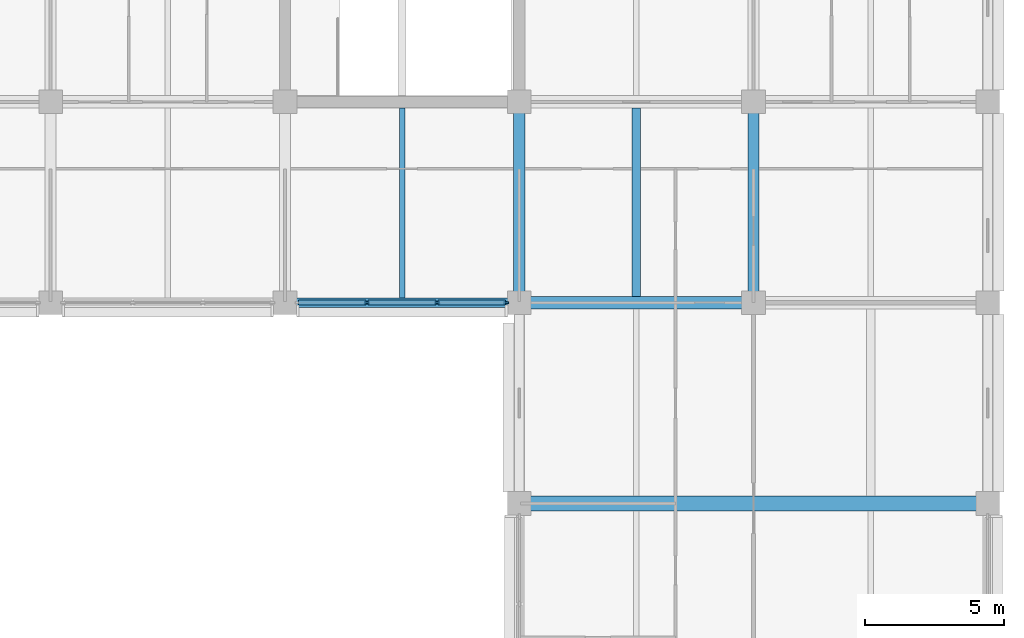
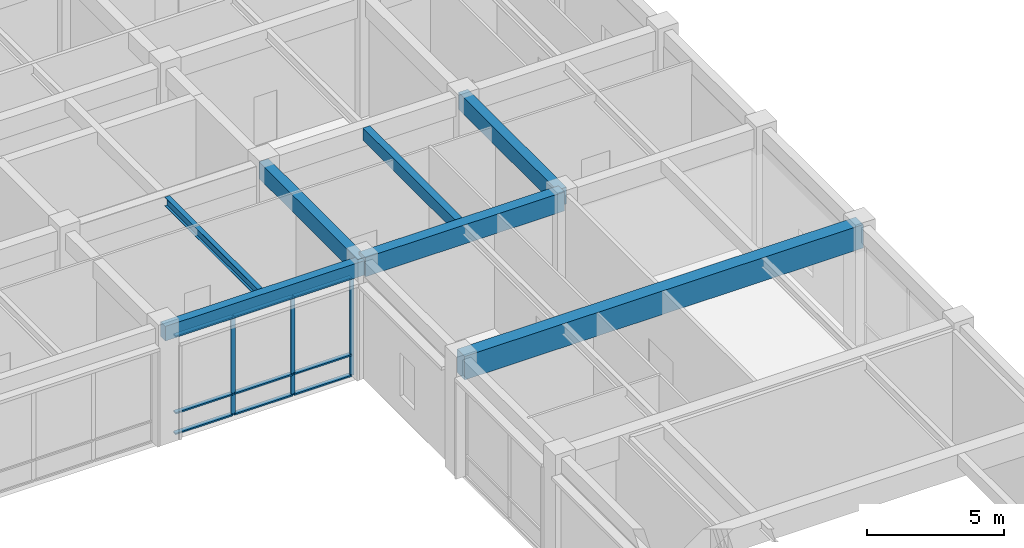
# One storey, part 21 of 58: 12 members, 7 beams, 1 element without a shape of its own.
"""IFC4 building model written with IfcOpenShell, lengths in metres."""

from ifc_helpers import new_model, si_unit, direction, frame, origin, origin_2d, place, context, subcontext, project, spatial, rectangle, i_section, extrude, material, layer, layer_set, material_profile, profile_set, type_object, element, aggregate, save


model = new_model("IFC4")

# Units and contexts
model_context = context("Model", 3, precision=1e-05, world=origin(), true_north=direction((0.0, 1.0)))
body_context = subcontext(model_context, "Body", "Model", "MODEL_VIEW")
ifc_project = project(units=[si_unit("LENGTHUNIT", "METRE"), si_unit("AREAUNIT", "SQUARE_METRE"), si_unit("VOLUMEUNIT", "CUBIC_METRE"), si_unit("PLANEANGLEUNIT", "RADIAN"), si_unit("MASSUNIT", "GRAM", prefix="KILO")], contexts=[model_context])

# Site, building, storey
site_placement = place(None, origin())
site = spatial("IfcSite", under=ifc_project, at=site_placement, CompositionType="ELEMENT")
building_placement = place(site_placement, origin())
building = spatial("IfcBuilding", under=site, at=building_placement, Name="Chengyuan Square Courthouse", CompositionType="ELEMENT")
storey_placement = place(building_placement, frame((0.0, 0.0, 16.199951171875)))
storey = spatial("IfcBuildingStorey", under=building, at=storey_placement, Name="L04", CompositionType="ELEMENT", Elevation=16.199951171875)

# Beams
ifc_material_1 = material(Name="Concrete C40", Category="concrete")
ifc_material_profile_1 = material_profile(ifc_material_1, rectangle(XDim=0.449951171875, YDim=0.85009765625, at=origin_2d()), Name="RC-BM-450x850")
ifc_profile_set_1 = profile_set([ifc_material_profile_1], Name="Concrete C40")
beam_type_1 = type_object("IfcBeamType", Name="BM-01", PredefinedType="USERDEFINED", material=ifc_profile_set_1)
beam_1_placement = place(storey_placement, frame((151.199951171875, 79.199951171875, 4.775146484375), z_axis=(1.0, 0.0, 0.0), x_axis=(0.0, 1.0, 0.0)))
element("IfcBeam", 1, at=beam_1_placement, inside=storey, type_object=beam_type_1, Name="Girder BM-L04-2879", ObjectType="GIRDER", PredefinedType="USERDEFINED", context=body_context, shape_type="SweptSolid", body=[
    extrude(rectangle(XDim=0.449951171875, YDim=0.85009765625, at=origin_2d()), origin(), (0.0, 0.0, 1.0), 8.400146484375),
])
ifc_material_profile_2 = material_profile(ifc_material_1, rectangle(XDim=0.39990234375, YDim=0.75, at=origin_2d()), Name="RC-BM-400x750")
ifc_profile_set_2 = profile_set([ifc_material_profile_2], Name="Concrete C40")
beam_type_2 = type_object("IfcBeamType", Name="BM-02", PredefinedType="USERDEFINED", material=ifc_profile_set_2)
for number, where, z_axis, x_axis, name in (
    (2, (151.199951171875, 79.199951171875, 4.675048828125), (0.0, 1.0, 0.0), (-1.0, 0.0, 0.0), "Girder BM-L04-3075"),
    (3, (159.60009765625, 79.199951171875, 4.824951171875), (0.0, 1.0, 0.0), (-1.0, 0.0, 0.0), "Girder BM-L04-3079"),
):
    element("IfcBeam", number, at=place(storey_placement, frame(where, z_axis=z_axis, x_axis=x_axis)), inside=storey, type_object=beam_type_2, Name=name, ObjectType="GIRDER", PredefinedType="USERDEFINED", context=body_context, shape_type="SweptSolid", body=[
        extrude(rectangle(XDim=0.39990234375, YDim=0.75, at=origin_2d()), origin(), (0.0, 0.0, 1.0), 7.199951171875),
    ])
ifc_material_profile_3 = material_profile(ifc_material_1, rectangle(XDim=0.35009765625, YDim=0.64990234375, at=origin_2d()), Name="RC-BM-350x650")
ifc_profile_set_3 = profile_set([ifc_material_profile_3], Name="Concrete C40")
beam_type_3 = type_object("IfcBeamType", Name="BM-03", PredefinedType="SPANDREL", material=ifc_profile_set_3)
beam_2_placement = place(storey_placement, frame((142.800048828125, 79.199951171875, 4.72509765625), z_axis=(1.0, 0.0, 0.0), x_axis=(0.0, 1.0, 0.0)))
element("IfcBeam", 4, at=beam_2_placement, inside=storey, type_object=beam_type_3, Name="Girder BM-L04-2878", PredefinedType="SPANDREL", context=body_context, shape_type="SweptSolid", body=[
    extrude(rectangle(XDim=0.35009765625, YDim=0.64990234375, at=origin_2d()), origin(), (0.0, 0.0, 1.0), 8.39990234375),
])
ifc_material_profile_4 = material_profile(ifc_material_1, rectangle(XDim=0.300048828125, YDim=0.550048828125, at=origin_2d()), Name="RC-BM-300x550")
ifc_profile_set_4 = profile_set([ifc_material_profile_4], Name="Concrete C40")
beam_type_4 = type_object("IfcBeamType", Name="BM-04", PredefinedType="BEAM", material=ifc_profile_set_4)
beam_3_placement = place(storey_placement, frame((155.39990234375, 79.425048828125, 4.925048828125), z_axis=(0.0, 1.0, 0.0), x_axis=(-1.0, 0.0, 0.0)))
element("IfcBeam", 5, at=beam_3_placement, inside=storey, type_object=beam_type_4, Name="Secondary Floor Beam SBM-L04-3181", PredefinedType="BEAM", context=body_context, shape_type="SweptSolid", body=[
    extrude(rectangle(XDim=0.300048828125, YDim=0.550048828125, at=origin_2d()), origin(), (0.0, 0.0, 1.0), 6.75),
])
ifc_material_2 = material(Name="Steel Q355B", Category="steel")
ifc_material_profile_5 = material_profile(ifc_material_2, i_section(OverallWidth=0.199951171875, OverallDepth=0.39990234375, WebThickness=0.008056640625, FlangeThickness=0.012939453125, at=origin_2d()), Name="HN 400x200x8x13")
ifc_profile_set_5 = profile_set([ifc_material_profile_5], Name="Steel Q355B")
beam_type_5 = type_object("IfcBeamType", Name="BM-07", PredefinedType="BEAM", material=ifc_profile_set_5)
beam_4_placement = place(storey_placement, frame((147.0, 79.375, 4.85009765625), z_axis=(0.0, 1.0, 0.0), x_axis=(-1.0, 0.0, 0.0)))
element("IfcBeam", 6, at=beam_4_placement, inside=storey, type_object=beam_type_5, Name="Secondary Floor Beam SBM-L04-3171", PredefinedType="BEAM", context=body_context, shape_type="SweptSolid", body=[
    extrude(i_section(OverallWidth=0.199951171875, OverallDepth=0.39990234375, WebThickness=0.008056640625, FlangeThickness=0.012939453125, at=origin_2d()), origin(), (0.0, 0.0, 1.0), 6.800048828125),
])

# Curtain wall, members
ifc_material_3 = material(Name="Unitised Aluminium and Triple Low-E Glass", Category="aluminium")
ifc_layer = layer(ifc_material_3, 0.179931640625)
ifc_layer_set = layer_set([ifc_layer], Name="Unitised Aluminium and Triple Low-E Glass")
curtain_wall_type = type_object("IfcCurtainWallType", Name="CW-10", PredefinedType="USERDEFINED", material=ifc_layer_set)
curtain_wall_placement = place(storey_placement, origin())
curtain_wall = element("IfcCurtainWall", 7, at=curtain_wall_placement, inside=storey, type_object=curtain_wall_type, Name="Unitised Curtain Wall CW-L04-154", ObjectType="UNITISED CURTAIN WALL", PredefinedType="USERDEFINED")
ifc_material_4 = material(Name="Aluminium 6063-T6 Frame", Category="aluminium")
ifc_material_profile_6 = material_profile(ifc_material_4, rectangle(XDim=0.06494140625, YDim=0.179931640625, at=origin_2d()), Name="CW-MUL-65x180")
ifc_profile_set_6 = profile_set([ifc_material_profile_6], Name="Aluminium 6063-T6 Frame")
member_type_1 = type_object("IfcMemberType", Name="CWM-02", PredefinedType="MULLION", material=ifc_profile_set_6)
member_1_placement = place(storey_placement, frame((145.74169921875, 79.199951171875, 0.0), z_axis=(0.0, 0.0, 1.0), x_axis=(0.0, 1.0, 0.0)))
member_1 = element("IfcMember", 8, at=member_1_placement, type_object=member_type_1, Name="CW-10 mullion 2", PredefinedType="MULLION", context=body_context, shape_type="SweptSolid", body=[
    extrude(rectangle(XDim=0.06494140625, YDim=0.179931640625, at=origin_2d()), origin(), (0.0, 0.0, 1.0), 4.400146484375),
])
member_2_placement = place(storey_placement, frame((148.25830078125, 79.199951171875, 0.0), z_axis=(0.0, 0.0, 1.0), x_axis=(0.0, 1.0, 0.0)))
member_2 = element("IfcMember", 9, at=member_2_placement, type_object=member_type_1, Name="CW-10 mullion 3", PredefinedType="MULLION", context=body_context, shape_type="SweptSolid", body=[
    extrude(rectangle(XDim=0.06494140625, YDim=0.179931640625, at=origin_2d()), origin(), (0.0, 0.0, 1.0), 4.400146484375),
])
member_3_placement = place(storey_placement, frame((150.742431640625, 79.199951171875, 0.0), z_axis=(0.0, 0.0, 1.0), x_axis=(0.0, 1.0, 0.0)))
member_3 = element("IfcMember", 10, at=member_3_placement, type_object=member_type_1, Name="CW-10 mullion 4", PredefinedType="MULLION", context=body_context, shape_type="SweptSolid", body=[
    extrude(rectangle(XDim=0.06494140625, YDim=0.179931640625, at=origin_2d()), origin(), (0.0, 0.0, 1.0), 4.400146484375),
])
ifc_material_profile_7 = material_profile(ifc_material_4, rectangle(XDim=0.179931640625, YDim=0.06494140625, at=origin_2d()), Name="CW-TRN-65x140")
ifc_profile_set_7 = profile_set([ifc_material_profile_7], Name="Aluminium 6063-T6 Frame")
member_type_2 = type_object("IfcMemberType", Name="CWT-02", PredefinedType="USERDEFINED", material=ifc_profile_set_7)
member_4_placement = place(storey_placement, frame((143.2900390625, 79.199951171875, 0.032470703125), z_axis=(1.0, 0.0, 0.0), x_axis=(0.0, 1.0, 0.0)))
member_4 = element("IfcMember", 11, at=member_4_placement, type_object=member_type_2, Name="CW-10 transom 1.1", ObjectType="TRANSOM", PredefinedType="USERDEFINED", context=body_context, shape_type="SweptSolid", body=[
    extrude(rectangle(XDim=0.179931640625, YDim=0.06494140625, at=origin_2d()), origin(), (0.0, 0.0, 1.0), 2.419189453125),
])
member_5_placement = place(storey_placement, frame((143.2900390625, 79.199951171875, 0.949951171875), z_axis=(1.0, 0.0, 0.0), x_axis=(0.0, 1.0, 0.0)))
member_5 = element("IfcMember", 12, at=member_5_placement, type_object=member_type_2, Name="CW-10 transom 1.2", ObjectType="TRANSOM", PredefinedType="USERDEFINED", context=body_context, shape_type="SweptSolid", body=[
    extrude(rectangle(XDim=0.179931640625, YDim=0.06494140625, at=origin_2d()), origin(), (0.0, 0.0, 1.0), 2.419189453125),
])
member_6_placement = place(storey_placement, frame((143.2900390625, 79.199951171875, 4.367431640625), z_axis=(1.0, 0.0, 0.0), x_axis=(0.0, 1.0, 0.0)))
member_6 = element("IfcMember", 13, at=member_6_placement, type_object=member_type_2, Name="CW-10 transom 1.3", ObjectType="TRANSOM", PredefinedType="USERDEFINED", context=body_context, shape_type="SweptSolid", body=[
    extrude(rectangle(XDim=0.179931640625, YDim=0.06494140625, at=origin_2d()), origin(), (0.0, 0.0, 1.0), 2.419189453125),
])
member_7_placement = place(storey_placement, frame((145.774169921875, 79.199951171875, 0.032470703125), z_axis=(1.0, 0.0, 0.0), x_axis=(0.0, 1.0, 0.0)))
member_7 = element("IfcMember", 14, at=member_7_placement, type_object=member_type_2, Name="CW-10 transom 2.1", ObjectType="TRANSOM", PredefinedType="USERDEFINED", context=body_context, shape_type="SweptSolid", body=[
    extrude(rectangle(XDim=0.179931640625, YDim=0.06494140625, at=origin_2d()), origin(), (0.0, 0.0, 1.0), 2.45166015625),
])
member_8_placement = place(storey_placement, frame((145.774169921875, 79.199951171875, 0.949951171875), z_axis=(1.0, 0.0, 0.0), x_axis=(0.0, 1.0, 0.0)))
member_8 = element("IfcMember", 15, at=member_8_placement, type_object=member_type_2, Name="CW-10 transom 2.2", ObjectType="TRANSOM", PredefinedType="USERDEFINED", context=body_context, shape_type="SweptSolid", body=[
    extrude(rectangle(XDim=0.179931640625, YDim=0.06494140625, at=origin_2d()), origin(), (0.0, 0.0, 1.0), 2.45166015625),
])
member_9_placement = place(storey_placement, frame((145.774169921875, 79.199951171875, 4.367431640625), z_axis=(1.0, 0.0, 0.0), x_axis=(0.0, 1.0, 0.0)))
member_9 = element("IfcMember", 16, at=member_9_placement, type_object=member_type_2, Name="CW-10 transom 2.3", ObjectType="TRANSOM", PredefinedType="USERDEFINED", context=body_context, shape_type="SweptSolid", body=[
    extrude(rectangle(XDim=0.179931640625, YDim=0.06494140625, at=origin_2d()), origin(), (0.0, 0.0, 1.0), 2.45166015625),
])
member_10_placement = place(storey_placement, frame((148.290771484375, 79.199951171875, 0.032470703125), z_axis=(1.0, 0.0, 0.0), x_axis=(0.0, 1.0, 0.0)))
member_10 = element("IfcMember", 17, at=member_10_placement, type_object=member_type_2, Name="CW-10 transom 3.1", ObjectType="TRANSOM", PredefinedType="USERDEFINED", context=body_context, shape_type="SweptSolid", body=[
    extrude(rectangle(XDim=0.179931640625, YDim=0.06494140625, at=origin_2d()), origin(), (0.0, 0.0, 1.0), 2.419189453125),
])
member_11_placement = place(storey_placement, frame((148.290771484375, 79.199951171875, 0.949951171875), z_axis=(1.0, 0.0, 0.0), x_axis=(0.0, 1.0, 0.0)))
member_11 = element("IfcMember", 18, at=member_11_placement, type_object=member_type_2, Name="CW-10 transom 3.2", ObjectType="TRANSOM", PredefinedType="USERDEFINED", context=body_context, shape_type="SweptSolid", body=[
    extrude(rectangle(XDim=0.179931640625, YDim=0.06494140625, at=origin_2d()), origin(), (0.0, 0.0, 1.0), 2.419189453125),
])
member_12_placement = place(storey_placement, frame((148.290771484375, 79.199951171875, 4.367431640625), z_axis=(1.0, 0.0, 0.0), x_axis=(0.0, 1.0, 0.0)))
member_12 = element("IfcMember", 19, at=member_12_placement, type_object=member_type_2, Name="CW-10 transom 3.3", ObjectType="TRANSOM", PredefinedType="USERDEFINED", context=body_context, shape_type="SweptSolid", body=[
    extrude(rectangle(XDim=0.179931640625, YDim=0.06494140625, at=origin_2d()), origin(), (0.0, 0.0, 1.0), 2.419189453125),
])
aggregate(curtain_wall, [member_1, member_2, member_3, member_4, member_5, member_6, member_7, member_8, member_9, member_10, member_11, member_12])

# Beam
ifc_material_5 = material(Name="Post-tensioned Concrete C50", Category="concrete")
ifc_material_profile_8 = material_profile(ifc_material_5, rectangle(XDim=0.550048828125, YDim=1.050048828125, at=origin_2d()), Name="PT-BM-550x1050")
ifc_profile_set_8 = profile_set([ifc_material_profile_8], Name="Post-tensioned Concrete C50")
beam_type_6 = type_object("IfcBeamType", Name="PT-01", PredefinedType="USERDEFINED", material=ifc_profile_set_8)
beam_5_placement = place(storey_placement, frame((151.199951171875, 72.0, 4.675048828125), z_axis=(1.0, 0.0, 0.0), x_axis=(0.0, 1.0, 0.0)))
element("IfcBeam", 20, at=beam_5_placement, inside=storey, type_object=beam_type_6, Name="Girder BM-L04-2860", ObjectType="GIRDER", PredefinedType="USERDEFINED", context=body_context, shape_type="SweptSolid", body=[
    extrude(rectangle(XDim=0.550048828125, YDim=1.050048828125, at=origin_2d()), origin(), (0.0, 0.0, 1.0), 16.800048828125),
])

save(model, "model.ifc")
